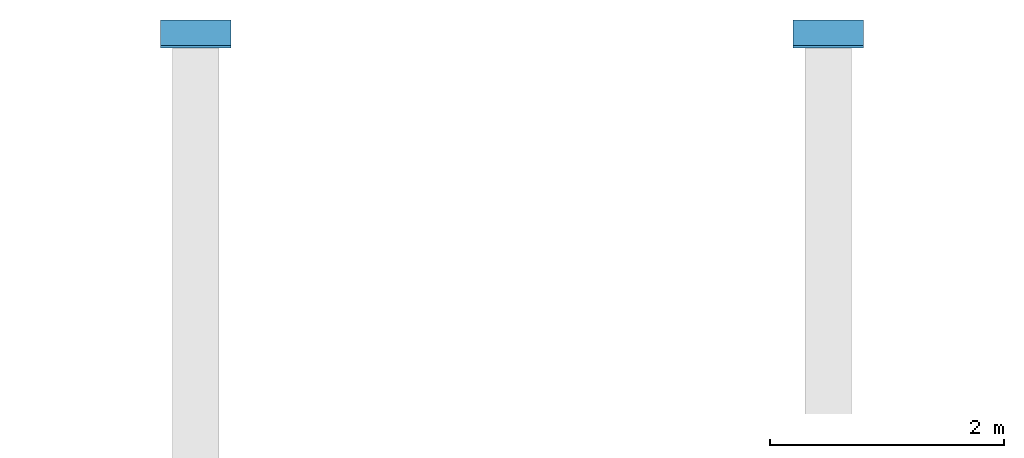
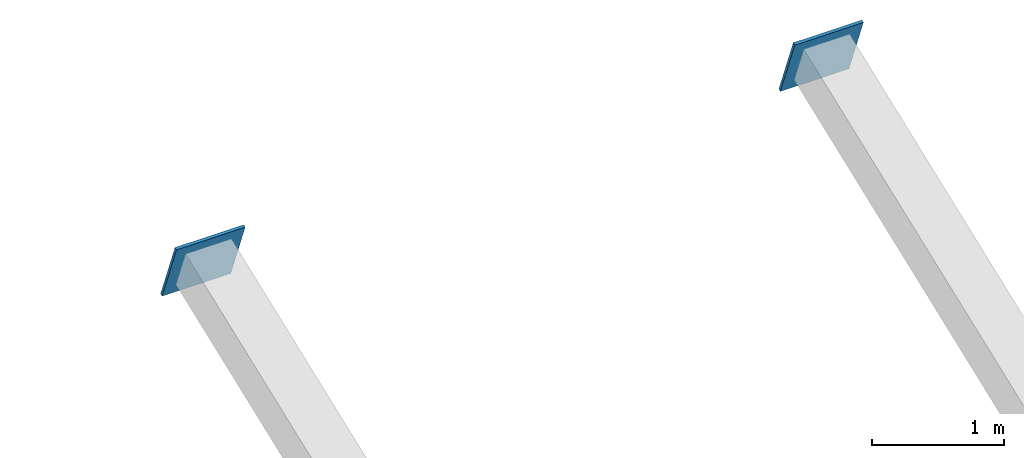
# One storey, part 12 of 14: 2 discrete accessories.
"""IFC4 building model written with IfcOpenShell, lengths in metres."""

from ifc_helpers import new_model, si_unit, direction, frame, origin, origin_2d, place, context, subcontext, project, spatial, rectangle, extrude, element, save


model = new_model("IFC4")

# Units and contexts
model_context = context("Model", 3, precision=1e-05, world=origin(), true_north=direction((0.0, 1.0)))
body_context = subcontext(model_context, "Body", "Model", "MODEL_VIEW")
ifc_project = project(units=[si_unit("LENGTHUNIT", "METRE"), si_unit("AREAUNIT", "SQUARE_METRE"), si_unit("VOLUMEUNIT", "CUBIC_METRE"), si_unit("PLANEANGLEUNIT", "RADIAN"), si_unit("MASSUNIT", "GRAM", prefix="KILO")], contexts=[model_context])

# Site, building, storey
site_placement = place(None, origin())
site = spatial("IfcSite", under=ifc_project, at=site_placement, CompositionType="ELEMENT")
building_placement = place(site_placement, origin())
building = spatial("IfcBuilding", under=site, at=building_placement, Name="Kolab Exchange Tower", CompositionType="ELEMENT")
storey_placement = place(building_placement, frame((0.0, 0.0, 261.800048828125)))
storey = spatial("IfcBuildingStorey", under=building, at=storey_placement, Name="L58", CompositionType="ELEMENT", Elevation=261.800048828125)

# Discrete accessories
for number, where, z_axis, x_axis, name in (
    (1, (-2.699951171875, 29.70458984375, 4.0400390625), (0.0, 0.931820475054, 0.362919553442), (-1.0, 0.0, 0.0), "Gusset plate"),
    (2, (2.699951171875, 29.70458984375, 4.0400390625), (0.0, 0.931820475054, 0.362919553442), (-1.0, 0.0, 0.0), "Gusset plate"),
):
    element("IfcDiscreteAccessory", number, at=place(storey_placement, frame(where, z_axis=z_axis, x_axis=x_axis)), inside=storey, Name=name, ObjectType="GUSSET PLATE", PredefinedType="USERDEFINED", context=body_context, shape_type="SweptSolid", body=[
        extrude(rectangle(XDim=0.60009765625, YDim=0.60009765625, at=origin_2d()), origin(), (0.0, 0.0, 1.0), 0.02490234375),
    ])

save(model, "model.ifc")
